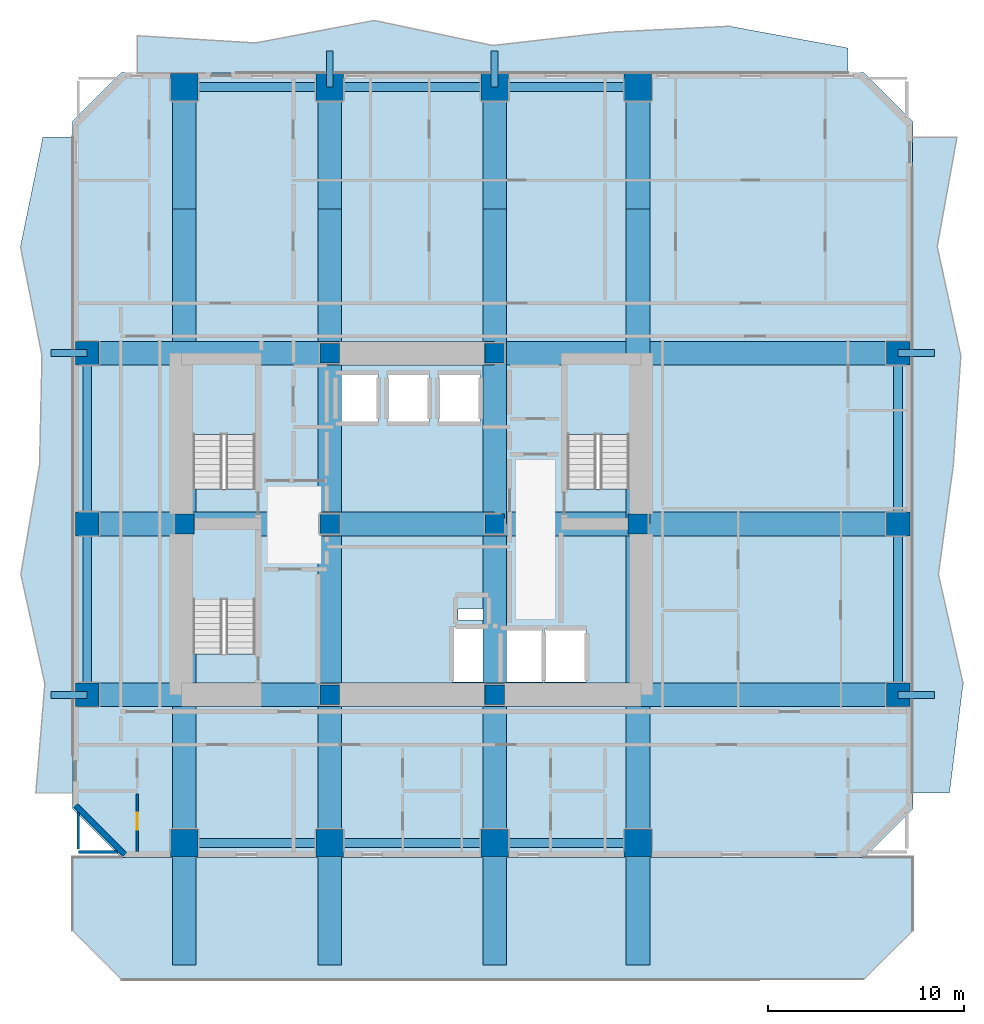
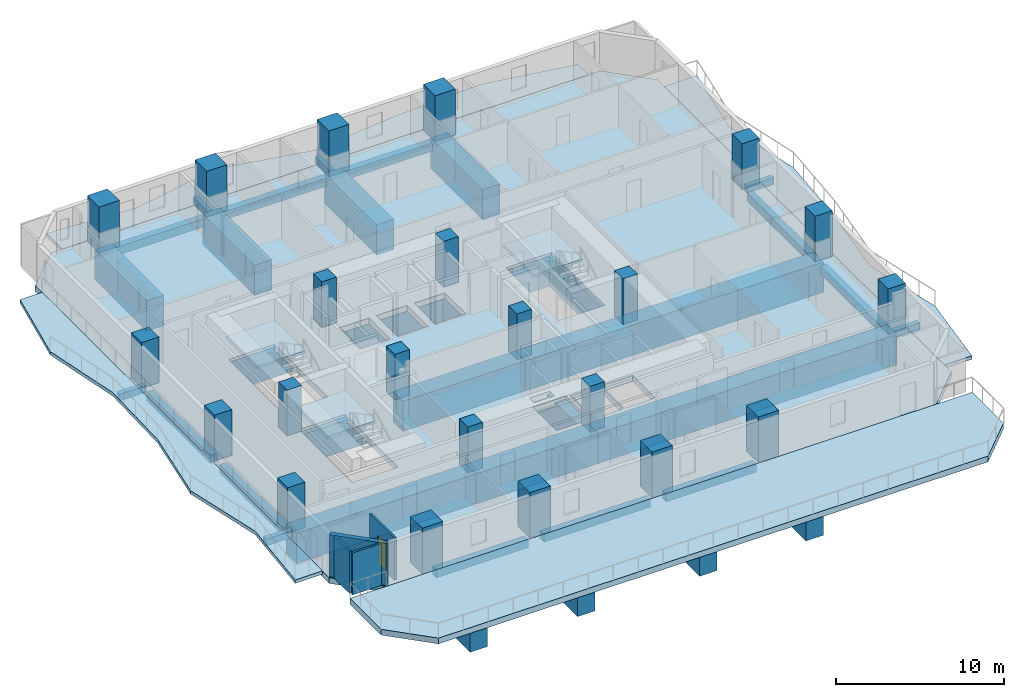
# One storey, part 1 of 11: 37 beams, 22 columns, 8 slabs, 4 walls, 1 door, 1 opening, 3 elements without a shape of their own.
"""IFC4 building model written with IfcOpenShell, lengths in metres."""

from ifc_helpers import new_model, si_unit, direction, frame, frame_2d, origin, origin_2d, place, context, subcontext, project, spatial, polyline, rectangle, outline, extrude, material, layer, layer_set, material_profile, profile_set, type_object, element, fill, aggregate, save


model = new_model("IFC4")

# Units and contexts
model_context = context("Model", 3, precision=1e-05, world=origin(), true_north=direction((0.0, 1.0)))
body_context = subcontext(model_context, "Body", "Model", "MODEL_VIEW")
ifc_project = project(units=[si_unit("LENGTHUNIT", "METRE"), si_unit("AREAUNIT", "SQUARE_METRE"), si_unit("VOLUMEUNIT", "CUBIC_METRE"), si_unit("PLANEANGLEUNIT", "RADIAN"), si_unit("MASSUNIT", "GRAM", prefix="KILO")], contexts=[model_context])

# Site, building, storey
site_placement = place(None, origin())
site = spatial("IfcSite", under=ifc_project, at=site_placement, CompositionType="ELEMENT")
building_placement = place(site_placement, origin())
building = spatial("IfcBuilding", under=site, at=building_placement, Name="Solanera Arch Residences", CompositionType="ELEMENT")
storey_placement = place(building_placement, frame((0.0, 0.0, 61.840087890625)))
storey = spatial("IfcBuildingStorey", under=building, at=storey_placement, Name="L17", CompositionType="ELEMENT", Elevation=61.840087890625)

# Columns
ifc_material_1 = material(Name="Concrete C55/67 (f'c = 60 MPa)", Category="concrete")
ifc_material_profile_1 = material_profile(ifc_material_1, rectangle(XDim=1.0, YDim=1.0, at=origin_2d()))
ifc_profile_set_1 = profile_set([ifc_material_profile_1], Name="Concrete C55/67 (f'c = 60 MPa)")
column_type_1 = type_object("IfcColumnType", Name="Structural Column RC-COL-1000X1000", PredefinedType="COLUMN", material=ifc_profile_set_1)
for number, where, z_axis, x_axis, name in (
    (1, (20.800048828125, 22.0, 0.0), (0.0, 0.0, 1.0), (1.0, 0.0, 0.0), "COL-L17-CB-SW"),
    (2, (29.199951171875, 22.0, 0.0), (0.0, 0.0, 1.0), (1.0, 0.0, 0.0), "COL-L17-CB-SE"),
    (3, (20.800048828125, 39.39990234375, 0.0), (0.0, 0.0, 1.0), (1.0, 0.0, 0.0), "COL-L17-CB-NW"),
    (4, (29.199951171875, 39.39990234375, 0.0), (0.0, 0.0, 1.0), (1.0, 0.0, 0.0), "COL-L17-CB-NE"),
    (5, (13.39990234375, 30.699951171875, 0.0), (0.0, 0.0, 1.0), (1.0, 0.0, 0.0), "COL-L17-CB-WW"),
    (6, (36.5, 30.699951171875, 0.0), (0.0, 0.0, 1.0), (1.0, 0.0, 0.0), "COL-L17-CB-EE"),
    (7, (20.800048828125, 30.699951171875, 0.0), (0.0, 0.0, 1.0), (1.0, 0.0, 0.0), "COL-L17-CORE-W"),
    (8, (29.199951171875, 30.699951171875, 0.0), (0.0, 0.0, 1.0), (1.0, 0.0, 0.0), "COL-L17-CORE-E"),
):
    element("IfcColumn", number, at=place(storey_placement, frame(where, z_axis=z_axis, x_axis=x_axis)), inside=storey, type_object=column_type_1, Name=name, PredefinedType="COLUMN", context=body_context, shape_type="SweptSolid", body=[
        extrude(rectangle(XDim=1.0, YDim=1.0, at=origin_2d()), origin(), (0.0, 0.0, 1.0), 3.31982421875),
    ])
ifc_material_2 = material(Name="Concrete C55/67 (f'c = 60 MPa)", Category="concrete")
ifc_material_profile_2 = material_profile(ifc_material_2, rectangle(XDim=1.199951171875, YDim=1.199951171875, at=origin_2d()))
ifc_profile_set_2 = profile_set([ifc_material_profile_2], Name="Concrete C55/67 (f'c = 60 MPa)")
column_type_2 = type_object("IfcColumnType", Name="Structural Column RC-COL-1200X1200", PredefinedType="COLUMN", material=ifc_profile_set_2)
for number, where, z_axis, x_axis, name in (
    (9, (8.449951171875, 22.0, -0.2001953125), (0.0, 0.0, 1.0), (1.0, 0.0, 0.0), "COL-L17-TWR-09"),
    (10, (49.75, 22.0, -0.2001953125), (0.0, 0.0, 1.0), (1.0, 0.0, 0.0), "COL-L17-TWR-10"),
    (11, (8.449951171875, 30.699951171875, -0.2001953125), (0.0, 0.0, 1.0), (1.0, 0.0, 0.0), "COL-L17-TWR-11"),
    (12, (49.75, 30.699951171875, -0.2001953125), (0.0, 0.0, 1.0), (1.0, 0.0, 0.0), "COL-L17-TWR-12"),
    (13, (8.449951171875, 39.39990234375, -0.2001953125), (0.0, 0.0, 1.0), (1.0, 0.0, 0.0), "COL-L17-TWR-13"),
    (14, (49.75, 39.39990234375, -0.2001953125), (0.0, 0.0, 1.0), (1.0, 0.0, 0.0), "COL-L17-TWR-14"),
):
    element("IfcColumn", number, at=place(storey_placement, frame(where, z_axis=z_axis, x_axis=x_axis)), inside=storey, type_object=column_type_2, Name=name, PredefinedType="COLUMN", context=body_context, shape_type="SweptSolid", body=[
        extrude(rectangle(XDim=1.199951171875, YDim=1.199951171875, at=origin_2d()), origin(), (0.0, 0.0, 1.0), 3.52001953125),
    ])
ifc_material_3 = material(Name="Concrete C55/67 (f'c = 60 MPa)", Category="concrete")
ifc_material_profile_3 = material_profile(ifc_material_3, rectangle(XDim=1.39990234375, YDim=1.39990234375, at=origin_2d()))
ifc_profile_set_3 = profile_set([ifc_material_profile_3], Name="Concrete C55/67 (f'c = 60 MPa)")
column_type_3 = type_object("IfcColumnType", Name="Structural Column RC-COL-1400X1400", PredefinedType="COLUMN", material=ifc_profile_set_3)
for number, where, z_axis, x_axis, name in (
    (15, (13.39990234375, 14.449951171875, -0.2001953125), (0.0, 0.0, 1.0), (1.0, 0.0, 0.0), "COL-L17-TWR-01"),
    (16, (13.39990234375, 52.949951171875, -0.2001953125), (0.0, 0.0, 1.0), (1.0, 0.0, 0.0), "COL-L17-TWR-02"),
    (17, (20.800048828125, 14.449951171875, -0.2001953125), (0.0, 0.0, 1.0), (1.0, 0.0, 0.0), "COL-L17-TWR-03"),
    (18, (20.800048828125, 52.949951171875, -0.2001953125), (0.0, 0.0, 1.0), (1.0, 0.0, 0.0), "COL-L17-TWR-04"),
    (19, (29.199951171875, 14.449951171875, -0.2001953125), (0.0, 0.0, 1.0), (1.0, 0.0, 0.0), "COL-L17-TWR-05"),
    (20, (29.199951171875, 52.949951171875, -0.2001953125), (0.0, 0.0, 1.0), (1.0, 0.0, 0.0), "COL-L17-TWR-06"),
    (21, (36.5, 14.449951171875, -0.2001953125), (0.0, 0.0, 1.0), (1.0, 0.0, 0.0), "COL-L17-TWR-07"),
    (22, (36.5, 52.949951171875, -0.2001953125), (0.0, 0.0, 1.0), (1.0, 0.0, 0.0), "COL-L17-TWR-08"),
):
    element("IfcColumn", number, at=place(storey_placement, frame(where, z_axis=z_axis, x_axis=x_axis)), inside=storey, type_object=column_type_3, Name=name, PredefinedType="COLUMN", context=body_context, shape_type="SweptSolid", body=[
        extrude(rectangle(XDim=1.39990234375, YDim=1.39990234375, at=origin_2d()), origin(), (0.0, 0.0, 1.0), 3.52001953125),
    ])

# Beams
ifc_material_4 = material(Name="Concrete C40/50 (f'c = 45 MPa)", Category="concrete")
ifc_material_profile_4 = material_profile(ifc_material_4, rectangle(XDim=0.35009765625, YDim=0.5, at=origin_2d()))
ifc_profile_set_4 = profile_set([ifc_material_profile_4], Name="Concrete C40/50 (f'c = 45 MPa)")
beam_type_1 = type_object("IfcBeamType", Name="BM-BALC-RIB", PredefinedType="BEAM", material=ifc_profile_set_4)
for number, where, z_axis, x_axis, name in (
    (23, (20.800048828125, 52.949951171875, -0.5), (0.0, 1.0, 0.0), (-1.0, 0.0, 0.0), "BM-L17-BRIB-N1"),
    (24, (29.199951171875, 52.949951171875, -0.5), (0.0, 1.0, 0.0), (-1.0, 0.0, 0.0), "BM-L17-BRIB-N2"),
    (25, (49.75, 22.0, -0.5), (1.0, 0.0, 0.0), (0.0, 1.0, 0.0), "BM-L17-BRIB-E1"),
    (26, (49.75, 39.39990234375, -0.5), (1.0, 0.0, 0.0), (0.0, 1.0, 0.0), "BM-L17-BRIB-E2"),
):
    element("IfcBeam", number, at=place(storey_placement, frame(where, z_axis=z_axis, x_axis=x_axis)), inside=storey, type_object=beam_type_1, Name=name, PredefinedType="BEAM", context=body_context, shape_type="SweptSolid", body=[
        extrude(rectangle(XDim=0.35009765625, YDim=0.5, at=origin_2d()), origin(), (0.0, 0.0, 1.0), 1.85009765625),
    ])
for number, where, z_axis, x_axis, name in (
    (27, (6.60009765625, 22.0, -0.5), (1.0, 0.0, 0.0), (0.0, 1.0, 0.0), "BM-L17-BRIB-W1"),
    (28, (6.60009765625, 39.39990234375, -0.5), (1.0, 0.0, 0.0), (0.0, 1.0, 0.0), "BM-L17-BRIB-W2"),
):
    element("IfcBeam", number, at=place(storey_placement, frame(where, z_axis=z_axis, x_axis=x_axis)), inside=storey, type_object=beam_type_1, Name=name, PredefinedType="BEAM", context=body_context, shape_type="SweptSolid", body=[
        extrude(rectangle(XDim=0.35009765625, YDim=0.5, at=origin_2d()), origin(), (0.0, 0.0, 1.0), 1.849853515625),
    ])
ifc_material_5 = material(Name="Concrete C55/67 (f'c = 60 MPa)", Category="concrete")
ifc_material_profile_5 = material_profile(ifc_material_5, rectangle(XDim=1.199951171875, YDim=2.199951171875, at=origin_2d()))
ifc_profile_set_5 = profile_set([ifc_material_profile_5], Name="Concrete C55/67 (f'c = 60 MPa)")
beam_type_2 = type_object("IfcBeamType", Name="BM-CANT-BLOCK", PredefinedType="BEAM", material=ifc_profile_set_5)
for number, where, z_axis, x_axis, name in (
    (29, (13.39990234375, 46.75, -1.300048828125), (0.0, 1.0, 0.0), (-1.0, 0.0, 0.0), "BM-L17-CANT-NS-N-134"),
    (30, (20.800048828125, 46.75, -1.300048828125), (0.0, 1.0, 0.0), (-1.0, 0.0, 0.0), "BM-L17-CANT-NS-N-208"),
    (31, (29.199951171875, 46.75, -1.300048828125), (0.0, 1.0, 0.0), (-1.0, 0.0, 0.0), "BM-L17-CANT-NS-N-292"),
    (32, (36.5, 46.75, -1.300048828125), (0.0, 1.0, 0.0), (-1.0, 0.0, 0.0), "BM-L17-CANT-NS-N-365"),
):
    element("IfcBeam", number, at=place(storey_placement, frame(where, z_axis=z_axis, x_axis=x_axis)), inside=storey, type_object=beam_type_2, Name=name, PredefinedType="BEAM", context=body_context, shape_type="SweptSolid", body=[
        extrude(rectangle(XDim=1.199951171875, YDim=2.199951171875, at=origin_2d()), origin(), (0.0, 0.0, 1.0), 6.199951171875),
    ])
ifc_material_6 = material(Name="Concrete C40/50 (f'c = 45 MPa)", Category="concrete")
ifc_material_profile_6 = material_profile(ifc_material_6, rectangle(XDim=0.449951171875, YDim=0.60009765625, at=origin_2d()))
ifc_profile_set_6 = profile_set([ifc_material_profile_6], Name="Concrete C40/50 (f'c = 45 MPa)")
beam_type_3 = type_object("IfcBeamType", Name="Spandrel Beam RC-BM-450X600", PredefinedType="SPANDREL", material=ifc_profile_set_6)
for number, where, z_axis, x_axis, name in (
    (33, (13.93994140625, 14.449951171875, -0.719970703125), (1.0, 0.0, 0.0), (0.0, 1.0, 0.0), "BM-L17-XRING-S-1"),
    (34, (13.93994140625, 52.949951171875, -0.719970703125), (1.0, 0.0, 0.0), (0.0, 1.0, 0.0), "BM-L17-XRING-N-1"),
):
    element("IfcBeam", number, at=place(storey_placement, frame(where, z_axis=z_axis, x_axis=x_axis)), inside=storey, type_object=beam_type_3, Name=name, PredefinedType="SPANDREL", context=body_context, shape_type="SweptSolid", body=[
        extrude(rectangle(XDim=0.449951171875, YDim=0.60009765625, at=origin_2d()), origin(), (0.0, 0.0, 1.0), 6.320068359375),
    ])
for number, where, z_axis, x_axis, name in (
    (35, (21.340087890625, 14.449951171875, -0.719970703125), (1.0, 0.0, 0.0), (0.0, 1.0, 0.0), "BM-L17-XRING-S-2"),
    (36, (21.340087890625, 52.949951171875, -0.719970703125), (1.0, 0.0, 0.0), (0.0, 1.0, 0.0), "BM-L17-XRING-N-2"),
):
    element("IfcBeam", number, at=place(storey_placement, frame(where, z_axis=z_axis, x_axis=x_axis)), inside=storey, type_object=beam_type_3, Name=name, PredefinedType="SPANDREL", context=body_context, shape_type="SweptSolid", body=[
        extrude(rectangle(XDim=0.449951171875, YDim=0.60009765625, at=origin_2d()), origin(), (0.0, 0.0, 1.0), 7.31982421875),
    ])
for number, where, z_axis, x_axis, name in (
    (37, (29.739990234375, 14.449951171875, -0.719970703125), (1.0, 0.0, 0.0), (0.0, 1.0, 0.0), "BM-L17-XRING-S-3"),
    (38, (29.739990234375, 52.949951171875, -0.719970703125), (1.0, 0.0, 0.0), (0.0, 1.0, 0.0), "BM-L17-XRING-N-3"),
):
    element("IfcBeam", number, at=place(storey_placement, frame(where, z_axis=z_axis, x_axis=x_axis)), inside=storey, type_object=beam_type_3, Name=name, PredefinedType="SPANDREL", context=body_context, shape_type="SweptSolid", body=[
        extrude(rectangle(XDim=0.449951171875, YDim=0.60009765625, at=origin_2d()), origin(), (0.0, 0.0, 1.0), 6.219970703125),
    ])
for number, where, z_axis, x_axis, name in (
    (39, (8.449951171875, 22.5400390625, -0.719970703125), (0.0, 1.0, 0.0), (-1.0, 0.0, 0.0), "BM-L17-XRING-W-1"),
    (40, (49.75, 22.5400390625, -0.719970703125), (0.0, 1.0, 0.0), (-1.0, 0.0, 0.0), "BM-L17-XRING-E-1"),
):
    element("IfcBeam", number, at=place(storey_placement, frame(where, z_axis=z_axis, x_axis=x_axis)), inside=storey, type_object=beam_type_3, Name=name, PredefinedType="SPANDREL", context=body_context, shape_type="SweptSolid", body=[
        extrude(rectangle(XDim=0.449951171875, YDim=0.60009765625, at=origin_2d()), origin(), (0.0, 0.0, 1.0), 7.619873046875),
    ])
for number, where, z_axis, x_axis, name in (
    (41, (8.449951171875, 31.239990234375, -0.719970703125), (0.0, 1.0, 0.0), (-1.0, 0.0, 0.0), "BM-L17-XRING-W-2"),
    (42, (49.75, 31.239990234375, -0.719970703125), (0.0, 1.0, 0.0), (-1.0, 0.0, 0.0), "BM-L17-XRING-E-2"),
):
    element("IfcBeam", number, at=place(storey_placement, frame(where, z_axis=z_axis, x_axis=x_axis)), inside=storey, type_object=beam_type_3, Name=name, PredefinedType="SPANDREL", context=body_context, shape_type="SweptSolid", body=[
        extrude(rectangle(XDim=0.449951171875, YDim=0.60009765625, at=origin_2d()), origin(), (0.0, 0.0, 1.0), 7.6201171875),
    ])
ifc_material_7 = material(Name="Concrete C55/67 (f'c = 60 MPa)", Category="concrete")
ifc_material_profile_7 = material_profile(ifc_material_7, rectangle(XDim=1.199951171875, YDim=2.199951171875, at=origin_2d()))
ifc_profile_set_7 = profile_set([ifc_material_profile_7], Name="Concrete C55/67 (f'c = 60 MPa)")
beam_type_4 = type_object("IfcBeamType", Name="Transfer Girder RC-BM-1200X2200", PredefinedType="BEAM", material=ifc_profile_set_7)
beam_1_placement = place(storey_placement, frame((13.39990234375, 8.25, -1.300048828125), z_axis=(0.0, 1.0, 0.0), x_axis=(-1.0, 0.0, 0.0)))
element("IfcBeam", 43, at=beam_1_placement, inside=storey, type_object=beam_type_4, Name="BM-L17-XFER-NS-S-134", PredefinedType="BEAM", context=body_context, shape_type="SweptSolid", body=[
    extrude(rectangle(XDim=1.199951171875, YDim=2.199951171875, at=origin_2d()), origin(), (0.0, 0.0, 1.0), 22.449951171875),
])
beam_2_placement = place(storey_placement, frame((13.39990234375, 30.699951171875, -1.300048828125), z_axis=(0.0, 1.0, 0.0), x_axis=(-1.0, 0.0, 0.0)))
element("IfcBeam", 44, at=beam_2_placement, inside=storey, type_object=beam_type_4, Name="BM-L17-XFER-NS-N-134", PredefinedType="BEAM", context=body_context, shape_type="SweptSolid", body=[
    extrude(rectangle(XDim=1.199951171875, YDim=2.199951171875, at=origin_2d()), origin(), (0.0, 0.0, 1.0), 16.050048828125),
])
beam_3_placement = place(storey_placement, frame((20.800048828125, 8.25, -1.300048828125), z_axis=(0.0, 1.0, 0.0), x_axis=(-1.0, 0.0, 0.0)))
element("IfcBeam", 45, at=beam_3_placement, inside=storey, type_object=beam_type_4, Name="BM-L17-XFER-NS-S-208", PredefinedType="BEAM", context=body_context, shape_type="SweptSolid", body=[
    extrude(rectangle(XDim=1.199951171875, YDim=2.199951171875, at=origin_2d()), origin(), (0.0, 0.0, 1.0), 22.449951171875),
])
beam_4_placement = place(storey_placement, frame((20.800048828125, 30.699951171875, -1.300048828125), z_axis=(0.0, 1.0, 0.0), x_axis=(-1.0, 0.0, 0.0)))
element("IfcBeam", 46, at=beam_4_placement, inside=storey, type_object=beam_type_4, Name="BM-L17-XFER-NS-N-208", PredefinedType="BEAM", context=body_context, shape_type="SweptSolid", body=[
    extrude(rectangle(XDim=1.199951171875, YDim=2.199951171875, at=origin_2d()), origin(), (0.0, 0.0, 1.0), 16.050048828125),
])
beam_5_placement = place(storey_placement, frame((29.199951171875, 8.25, -1.300048828125), z_axis=(0.0, 1.0, 0.0), x_axis=(-1.0, 0.0, 0.0)))
element("IfcBeam", 47, at=beam_5_placement, inside=storey, type_object=beam_type_4, Name="BM-L17-XFER-NS-S-292", PredefinedType="BEAM", context=body_context, shape_type="SweptSolid", body=[
    extrude(rectangle(XDim=1.199951171875, YDim=2.199951171875, at=origin_2d()), origin(), (0.0, 0.0, 1.0), 22.449951171875),
])
beam_6_placement = place(storey_placement, frame((29.199951171875, 30.699951171875, -1.300048828125), z_axis=(0.0, 1.0, 0.0), x_axis=(-1.0, 0.0, 0.0)))
element("IfcBeam", 48, at=beam_6_placement, inside=storey, type_object=beam_type_4, Name="BM-L17-XFER-NS-N-292", PredefinedType="BEAM", context=body_context, shape_type="SweptSolid", body=[
    extrude(rectangle(XDim=1.199951171875, YDim=2.199951171875, at=origin_2d()), origin(), (0.0, 0.0, 1.0), 16.050048828125),
])
beam_7_placement = place(storey_placement, frame((36.5, 8.25, -1.300048828125), z_axis=(0.0, 1.0, 0.0), x_axis=(-1.0, 0.0, 0.0)))
element("IfcBeam", 49, at=beam_7_placement, inside=storey, type_object=beam_type_4, Name="BM-L17-XFER-NS-S-365", PredefinedType="BEAM", context=body_context, shape_type="SweptSolid", body=[
    extrude(rectangle(XDim=1.199951171875, YDim=2.199951171875, at=origin_2d()), origin(), (0.0, 0.0, 1.0), 22.449951171875),
])
beam_8_placement = place(storey_placement, frame((36.5, 30.699951171875, -1.300048828125), z_axis=(0.0, 1.0, 0.0), x_axis=(-1.0, 0.0, 0.0)))
element("IfcBeam", 50, at=beam_8_placement, inside=storey, type_object=beam_type_4, Name="BM-L17-XFER-NS-N-365", PredefinedType="BEAM", context=body_context, shape_type="SweptSolid", body=[
    extrude(rectangle(XDim=1.199951171875, YDim=2.199951171875, at=origin_2d()), origin(), (0.0, 0.0, 1.0), 16.050048828125),
])
beam_9_placement = place(storey_placement, frame((8.449951171875, 22.0, -1.300048828125), z_axis=(1.0, 0.0, 0.0), x_axis=(0.0, 1.0, 0.0)))
element("IfcBeam", 51, at=beam_9_placement, inside=storey, type_object=beam_type_4, Name="BM-L17-XFER-EW-W-220", PredefinedType="BEAM", context=body_context, shape_type="SweptSolid", body=[
    extrude(rectangle(XDim=1.199951171875, YDim=2.199951171875, at=origin_2d()), origin(), (0.0, 0.0, 1.0), 12.35009765625),
])
beam_10_placement = place(storey_placement, frame((20.800048828125, 22.0, -1.300048828125), z_axis=(1.0, 0.0, 0.0), x_axis=(0.0, 1.0, 0.0)))
element("IfcBeam", 52, at=beam_10_placement, inside=storey, type_object=beam_type_4, Name="BM-L17-XFER-EW-C-220", PredefinedType="BEAM", context=body_context, shape_type="SweptSolid", body=[
    extrude(rectangle(XDim=1.199951171875, YDim=2.199951171875, at=origin_2d()), origin(), (0.0, 0.0, 1.0), 8.39990234375),
])
beam_11_placement = place(storey_placement, frame((29.199951171875, 22.0, -1.300048828125), z_axis=(1.0, 0.0, 0.0), x_axis=(0.0, 1.0, 0.0)))
element("IfcBeam", 53, at=beam_11_placement, inside=storey, type_object=beam_type_4, Name="BM-L17-XFER-EW-E-220", PredefinedType="BEAM", context=body_context, shape_type="SweptSolid", body=[
    extrude(rectangle(XDim=1.199951171875, YDim=2.199951171875, at=origin_2d()), origin(), (0.0, 0.0, 1.0), 20.550048828125),
])
beam_12_placement = place(storey_placement, frame((8.449951171875, 30.699951171875, -1.300048828125), z_axis=(1.0, 0.0, 0.0), x_axis=(0.0, 1.0, 0.0)))
element("IfcBeam", 54, at=beam_12_placement, inside=storey, type_object=beam_type_4, Name="BM-L17-XFER-EW-W-307", PredefinedType="BEAM", context=body_context, shape_type="SweptSolid", body=[
    extrude(rectangle(XDim=1.199951171875, YDim=2.199951171875, at=origin_2d()), origin(), (0.0, 0.0, 1.0), 12.35009765625),
])
beam_13_placement = place(storey_placement, frame((20.800048828125, 30.699951171875, -1.300048828125), z_axis=(1.0, 0.0, 0.0), x_axis=(0.0, 1.0, 0.0)))
element("IfcBeam", 55, at=beam_13_placement, inside=storey, type_object=beam_type_4, Name="BM-L17-XFER-EW-C-307", PredefinedType="BEAM", context=body_context, shape_type="SweptSolid", body=[
    extrude(rectangle(XDim=1.199951171875, YDim=2.199951171875, at=origin_2d()), origin(), (0.0, 0.0, 1.0), 8.39990234375),
])
beam_14_placement = place(storey_placement, frame((29.199951171875, 30.699951171875, -1.300048828125), z_axis=(1.0, 0.0, 0.0), x_axis=(0.0, 1.0, 0.0)))
element("IfcBeam", 56, at=beam_14_placement, inside=storey, type_object=beam_type_4, Name="BM-L17-XFER-EW-E-307", PredefinedType="BEAM", context=body_context, shape_type="SweptSolid", body=[
    extrude(rectangle(XDim=1.199951171875, YDim=2.199951171875, at=origin_2d()), origin(), (0.0, 0.0, 1.0), 20.550048828125),
])
beam_15_placement = place(storey_placement, frame((8.449951171875, 39.39990234375, -1.300048828125), z_axis=(1.0, 0.0, 0.0), x_axis=(0.0, 1.0, 0.0)))
element("IfcBeam", 57, at=beam_15_placement, inside=storey, type_object=beam_type_4, Name="BM-L17-XFER-EW-W-394", PredefinedType="BEAM", context=body_context, shape_type="SweptSolid", body=[
    extrude(rectangle(XDim=1.199951171875, YDim=2.199951171875, at=origin_2d()), origin(), (0.0, 0.0, 1.0), 12.35009765625),
])
beam_16_placement = place(storey_placement, frame((20.800048828125, 39.39990234375, -1.300048828125), z_axis=(1.0, 0.0, 0.0), x_axis=(0.0, 1.0, 0.0)))
element("IfcBeam", 58, at=beam_16_placement, inside=storey, type_object=beam_type_4, Name="BM-L17-XFER-EW-C-394", PredefinedType="BEAM", context=body_context, shape_type="SweptSolid", body=[
    extrude(rectangle(XDim=1.199951171875, YDim=2.199951171875, at=origin_2d()), origin(), (0.0, 0.0, 1.0), 8.39990234375),
])
beam_17_placement = place(storey_placement, frame((29.199951171875, 39.39990234375, -1.300048828125), z_axis=(1.0, 0.0, 0.0), x_axis=(0.0, 1.0, 0.0)))
element("IfcBeam", 59, at=beam_17_placement, inside=storey, type_object=beam_type_4, Name="BM-L17-XFER-EW-E-394", PredefinedType="BEAM", context=body_context, shape_type="SweptSolid", body=[
    extrude(rectangle(XDim=1.199951171875, YDim=2.199951171875, at=origin_2d()), origin(), (0.0, 0.0, 1.0), 20.550048828125),
])

# Slabs
ifc_material_8 = material(Name="Concrete C40/50 (f'c = 45 MPa)", Category="concrete")
ifc_layer_1 = layer(ifc_material_8, 0.25)
ifc_layer_set_1 = layer_set([ifc_layer_1], Name="Concrete C40/50 (f'c = 45 MPa)")
slab_type_1 = type_object("IfcSlabType", Name="Balcony Slab 250", PredefinedType="FLOOR", material=ifc_layer_set_1)
slab_1_placement = place(storey_placement, frame((0.0, 0.0, -0.25)))
element("IfcSlab", 60, at=slab_1_placement, inside=storey, type_object=slab_type_1, Name="L17 N Rippling Brise-Soleil Balcony Slab", PredefinedType="FLOOR", context=body_context, shape_type="SweptSolid", body=[
    extrude(outline(polyline([(47.199951171875, 54.94189453125), (41.1669921875, 56.050048828125), (35.133056640625, 55.7509765625), (29.10009765625, 55.071044921875), (23.06689453125, 56.343994140625), (17.032958984375, 55.199951171875), (11.0, 55.56591796875), (11.0, 53.679931640625), (47.199951171875, 53.679931640625), (47.199951171875, 54.94189453125)])), origin(), (0.0, 0.0, 1.0), 0.25),
])
slab_2_placement = place(storey_placement, frame((0.0, 0.0, -0.25)))
element("IfcSlab", 61, at=slab_2_placement, inside=storey, type_object=slab_type_1, Name="L17 E Rippling Brise-Soleil Balcony Slab", PredefinedType="FLOOR", context=body_context, shape_type="SweptSolid", body=[
    extrude(outline(polyline([(52.365966796875, 17.0), (53.05908203125, 22.56689453125), (51.799072265625, 28.133056640625), (52.56005859375, 33.699951171875), (52.94189453125, 39.26708984375), (51.739990234375, 44.8330078125), (52.74609375, 50.39990234375), (50.47998046875, 50.39990234375), (50.47998046875, 17.0), (52.365966796875, 17.0)])), origin(), (0.0, 0.0, 1.0), 0.25),
])
slab_3_placement = place(storey_placement, frame((0.0, 0.0, -0.25)))
element("IfcSlab", 62, at=slab_3_placement, inside=storey, type_object=slab_type_1, Name="L17 W Rippling Brise-Soleil Balcony Slab", PredefinedType="FLOOR", context=body_context, shape_type="SweptSolid", body=[
    extrude(outline(polyline([(6.19189453125, 50.39990234375), (5.051025390625, 44.8330078125), (6.14697265625, 39.26708984375), (6.02294921875, 33.699951171875), (5.070068359375, 28.133056640625), (6.2939453125, 22.56689453125), (5.833984375, 17.0), (7.719970703125, 17.0), (7.719970703125, 50.39990234375), (6.19189453125, 50.39990234375)])), origin(), (0.0, 0.0, 1.0), 0.25),
])

# Stair, slab
ifc_material_9 = material(Name="Concrete C40/50 (f'c = 45 MPa)", Category="concrete")
stair_type = type_object("IfcStairType", Name="Tower Dogleg Exit Stair 1480", PredefinedType="HALF_TURN_STAIR", material=ifc_material_9)
stair_1_placement = place(storey_placement, origin())
stair_1 = element("IfcStair", 63, at=stair_1_placement, inside=storey, type_object=stair_type, Name="L17 Tower Core Exit Stair 1", PredefinedType="HALF_TURN_STAIR")
ifc_material_10 = material(Name="Concrete C40/50 (f'c = 45 MPa)", Category="concrete")
ifc_layer_2 = layer(ifc_material_10, 0.199951171875)
ifc_layer_set_2 = layer_set([ifc_layer_2], Name="Concrete C40/50 (f'c = 45 MPa)")
slab_type_2 = type_object("IfcSlabType", Name="Stair Half-Landing Slab 200", PredefinedType="LANDING", material=ifc_layer_set_2)
slab_4_placement = place(storey_placement, frame((0.0, 0.0, 1.4599609375)))
slab_4 = element("IfcSlab", 64, at=slab_4_placement, type_object=slab_type_2, Name="ST-T1 landing 1", PredefinedType="LANDING", context=body_context, shape_type="SweptSolid", body=[
    extrude(outline(polyline([(17.1201171875, 35.260009765625), (17.1201171875, 38.919921875), (13.719970703125, 38.919921875), (13.719970703125, 35.260009765625), (17.1201171875, 35.260009765625)])), origin(), (0.0, 0.0, 1.0), 0.199951171875),
])
aggregate(stair_1, [slab_4])

stair_2_placement = place(storey_placement, origin())
stair_2 = element("IfcStair", 65, at=stair_2_placement, inside=storey, type_object=stair_type, Name="L17 Tower Core Exit Stair 2", PredefinedType="HALF_TURN_STAIR")
slab_5_placement = place(storey_placement, frame((0.0, 0.0, 1.4599609375)))
slab_5 = element("IfcSlab", 66, at=slab_5_placement, type_object=slab_type_2, Name="ST-T2 landing 1", PredefinedType="LANDING", context=body_context, shape_type="SweptSolid", body=[
    extrude(outline(polyline([(36.179931640625, 35.260009765625), (36.179931640625, 38.919921875), (32.780029296875, 38.919921875), (32.780029296875, 35.260009765625), (36.179931640625, 35.260009765625)])), origin(), (0.0, 0.0, 1.0), 0.199951171875),
])
aggregate(stair_2, [slab_5])

stair_3_placement = place(storey_placement, origin())
stair_3 = element("IfcStair", 67, at=stair_3_placement, inside=storey, type_object=stair_type, Name="L17 Tower Core Exit Stair 3", PredefinedType="HALF_TURN_STAIR")
slab_6_placement = place(storey_placement, frame((0.0, 0.0, 1.4599609375)))
slab_6 = element("IfcSlab", 68, at=slab_6_placement, type_object=slab_type_2, Name="ST-T3 landing 1", PredefinedType="LANDING", context=body_context, shape_type="SweptSolid", body=[
    extrude(outline(polyline([(17.1201171875, 26.860107421875), (17.1201171875, 30.52001953125), (13.719970703125, 30.52001953125), (13.719970703125, 26.860107421875), (17.1201171875, 26.860107421875)])), origin(), (0.0, 0.0, 1.0), 0.199951171875),
])
aggregate(stair_3, [slab_6])

# Slabs
ifc_material_11 = material(Name="Concrete C40/50 (f'c = 45 MPa)", Category="concrete")
ifc_layer_3 = layer(ifc_material_11, 0.419921875)
ifc_layer_set_3 = layer_set([ifc_layer_3], Name="Concrete C40/50 (f'c = 45 MPa)")
slab_type_3 = type_object("IfcSlabType", Name="Suspended Floor Slab Post-Tensioned 420", PredefinedType="FLOOR", material=ifc_layer_set_3)
slab_7_placement = place(storey_placement, frame((0.0, 0.0, -0.420166015625)))
element("IfcSlab", 69, at=slab_7_placement, inside=storey, type_object=slab_type_3, Name="L17 Tower Post-Tensioned Floor Slab", PredefinedType="FLOOR", context=body_context, shape_type="SweptSolid", body=[
    extrude(outline(polyline([(10.199951171875, 13.699951171875), (48.0, 13.699951171875), (50.5, 16.199951171875), (50.5, 51.199951171875), (48.0, 53.699951171875), (10.199951171875, 53.699951171875), (7.699951171875, 51.199951171875), (7.699951171875, 16.199951171875), (10.199951171875, 13.699951171875)]), holes=[polyline([(13.840087890625, 32.48291015625), (13.840087890625, 38.800048828125), (17.0, 38.800048828125), (17.0, 32.48291015625), (13.840087890625, 32.48291015625)]), polyline([(32.89990234375, 32.48291015625), (32.89990234375, 38.800048828125), (36.06005859375, 38.800048828125), (36.06005859375, 32.48291015625), (32.89990234375, 32.48291015625)]), polyline([(13.840087890625, 24.0830078125), (13.840087890625, 30.39990234375), (17.0, 30.39990234375), (17.0, 24.0830078125), (13.840087890625, 24.0830078125)]), polyline([(21.14990234375, 38.35009765625), (23.25, 38.35009765625), (23.25, 35.85009765625), (21.14990234375, 35.85009765625), (21.14990234375, 38.35009765625)]), polyline([(23.75, 38.35009765625), (25.85009765625, 38.35009765625), (25.85009765625, 35.85009765625), (23.75, 35.85009765625), (23.75, 38.35009765625)]), polyline([(26.35009765625, 38.35009765625), (28.449951171875, 38.35009765625), (28.449951171875, 35.85009765625), (26.35009765625, 35.85009765625), (26.35009765625, 38.35009765625)]), polyline([(29.550048828125, 25.35009765625), (31.64990234375, 25.35009765625), (31.64990234375, 22.64990234375), (29.550048828125, 22.64990234375), (29.550048828125, 25.35009765625)]), polyline([(31.75, 25.35009765625), (33.85009765625, 25.35009765625), (33.85009765625, 22.64990234375), (31.75, 22.64990234375), (31.75, 25.35009765625)]), polyline([(27.050048828125, 25.449951171875), (29.35009765625, 25.449951171875), (29.35009765625, 22.64990234375), (27.050048828125, 22.64990234375), (27.050048828125, 25.449951171875)]), polyline([(27.340087890625, 26.3798828125), (28.760009765625, 26.3798828125), (28.760009765625, 25.820068359375), (27.340087890625, 25.820068359375), (27.340087890625, 26.3798828125)])]), origin(), (0.0, 0.0, 1.0), 0.420166015625),
])
ifc_material_12 = material(Name="Concrete C40/50 (f'c = 45 MPa)", Category="concrete")
ifc_layer_4 = layer(ifc_material_12, 0.419921875)
ifc_layer_set_4 = layer_set([ifc_layer_4], Name="Concrete C40/50 (f'c = 45 MPa)")
slab_type_4 = type_object("IfcSlabType", Name="Terrace Slab 420", PredefinedType="FLOOR", material=ifc_layer_set_4)
slab_8_placement = place(storey_placement, frame((0.0, 0.0, -0.420166015625)))
element("IfcSlab", 70, at=slab_8_placement, inside=storey, type_object=slab_type_4, Name="L17 Planted Sky Terrace Slab 1", PredefinedType="FLOOR", context=body_context, shape_type="SweptSolid", body=[
    extrude(outline(polyline([(50.5, 13.719970703125), (47.991943359375, 13.719970703125), (10.2080078125, 13.719970703125), (7.699951171875, 13.719970703125), (7.699951171875, 10.0), (10.199951171875, 7.5), (48.0, 7.5), (50.5, 10.0), (50.5, 13.719970703125)])), origin(), (0.0, 0.0, 1.0), 0.420166015625),
])

# Walls
ifc_material_13 = material(Name="Precast Concrete C35/45", Category="concrete")
ifc_layer_5 = layer(ifc_material_13, 0.300048828125)
ifc_layer_set_5 = layer_set([ifc_layer_5], Name="Precast Concrete C35/45")
wall_type_1 = type_object("IfcWallType", Name="Exterior Wall Precast Masonry-Frame 300", PredefinedType="STANDARD", material=ifc_layer_set_5)
wall_1_placement = place(storey_placement, frame((10.364990234375, 13.864990234375, 0.0), z_axis=(0.0, 0.0, 1.0), x_axis=(-0.707106781187, 0.707106781187, 0.0)))
element("IfcWall", 71, at=wall_1_placement, inside=storey, type_object=wall_type_1, Name="L17 Tower Exterior Precast Masonry-Frame Wall CH7", PredefinedType="STANDARD", context=body_context, shape_type="SweptSolid", body=[
    extrude(rectangle(XDim=3.53564453125, YDim=0.300048828125, at=frame_2d((1.767822265625, 0.0))), origin(), (0.0, 0.0, 1.0), 3.059814453125),
])
ifc_material_14 = material(Name="Autoclaved Aerated Concrete Blockwork", Category="masonry")
ifc_layer_6 = layer(ifc_material_14, 0.139892578125)
ifc_layer_set_6 = layer_set([ifc_layer_6], Name="Autoclaved Aerated Concrete Blockwork")
wall_type_2 = type_object("IfcWallType", Name="Wet-Room Partition 140", PredefinedType="PARTITIONING", material=ifc_layer_set_6)
wall_2_placement = place(storey_placement, frame((8.0, 14.0, 0.0), z_axis=(0.0, 0.0, 1.0), x_axis=(1.0, 0.0, 0.0)))
element("IfcWall", 72, at=wall_2_placement, inside=storey, type_object=wall_type_2, Name="L17 Interior Partition H12 1", PredefinedType="PARTITIONING", context=body_context, shape_type="SweptSolid", body=[
    extrude(rectangle(XDim=2.0009765625, YDim=0.139892578125, at=frame_2d((1.00048828125, 0.0))), origin(), (0.0, 0.0, 1.0), 3.059814453125),
])
wall_3_placement = place(storey_placement, frame((8.0, 14.14794921875, 0.0), z_axis=(0.0, 0.0, 1.0), x_axis=(0.0, 1.0, 0.0)))
element("IfcWall", 73, at=wall_3_placement, inside=storey, type_object=wall_type_2, Name="L17 Interior Partition V12", PredefinedType="PARTITIONING", context=body_context, shape_type="SweptSolid", body=[
    extrude(rectangle(XDim=1.85302734375, YDim=0.139892578125, at=frame_2d((0.926513671875, 0.0))), origin(), (0.0, 0.0, 1.0), 3.059814453125),
])

# Wall, opening, door
wall_4_placement = place(storey_placement, frame((11.0, 14.027099609375, 0.0), z_axis=(0.0, 0.0, 1.0), x_axis=(0.0, 1.0, 0.0)))
wall_4 = element("IfcWall", 74, at=wall_4_placement, inside=storey, type_object=wall_type_2, Name="L17 Interior Partition V14 1", PredefinedType="PARTITIONING", context=body_context, shape_type="SweptSolid", body=[
    extrude(rectangle(XDim=2.931884765625, YDim=0.139892578125, at=frame_2d((1.4658203125, 0.0))), origin(), (0.0, 0.0, 1.0), 3.059814453125),
])
opening_placement = place(wall_4_placement, frame((1.10888671875, 0.0, 0.0)))
opening = element("IfcOpeningElement", 75, at=opening_placement, cuts=wall_4, Name="Opening DI-05", PredefinedType="OPENING", context=body_context, shape_type="SweptSolid", body=[
    extrude(rectangle(XDim=0.860107421875, YDim=2.02001953125, at=frame_2d((0.43017578125, 1.010009765625))), frame((0.0, 0.079833984375, 0.0), z_axis=(0.0, -1.0, 0.0), x_axis=(1.0, 0.0, 0.0)), (0.0, 0.0, 1.0), 0.1599),
])
ifc_material_15 = material(Name="Fire-Rated Architectural Hardwood", Category="wood")
door_type = type_object("IfcDoorType", Name="Bathroom Swing Door DI-05", OperationType="NOTDEFINED", PredefinedType="DOOR", material=ifc_material_15)
door_placement = place(opening_placement, origin())
door = element("IfcDoor", 76, at=door_placement, inside=storey, type_object=door_type, Name="DR-L17-IN-017", OperationType="SINGLE_SWING_LEFT", OverallHeight=2.02001953125, OverallWidth=0.860107421875, PredefinedType="DOOR", context=body_context, shape_type="SweptSolid", body=[
    extrude(rectangle(XDim=0.860107421875, YDim=2.02001953125, at=frame_2d((0.43017578125, 1.010009765625))), frame((0.0, 0.02490234375, 0.0), z_axis=(0.0, -1.0, 0.0), x_axis=(1.0, 0.0, 0.0)), (0.0, 0.0, 1.0), 0.050048828125),
])
fill(opening, door)

save(model, "model.ifc")
